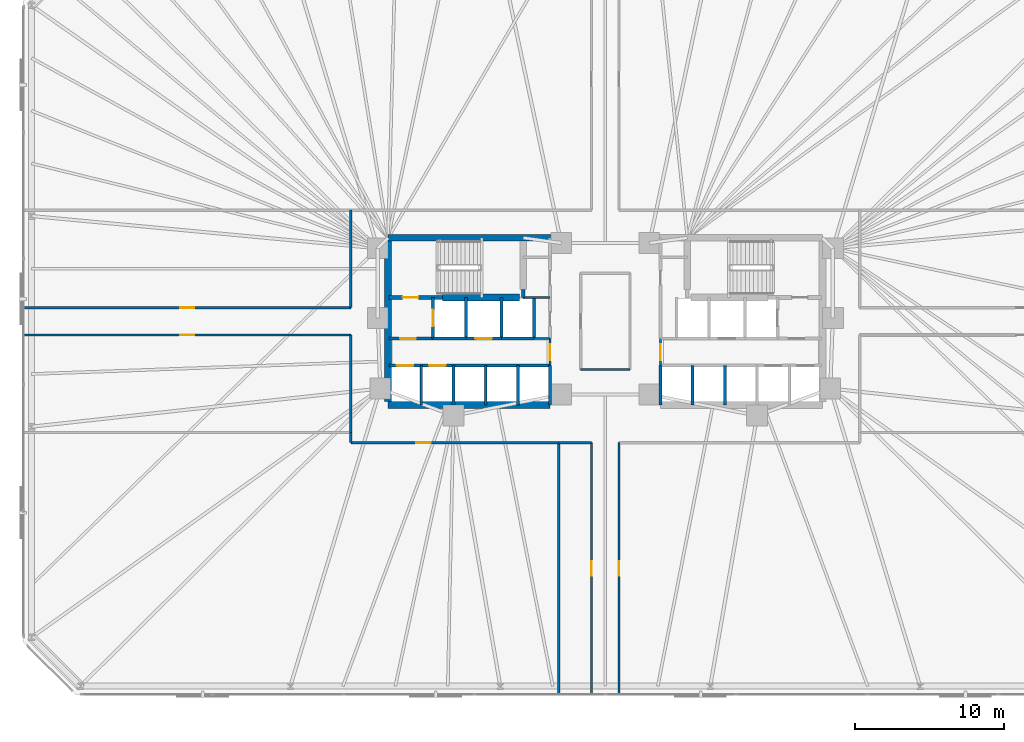
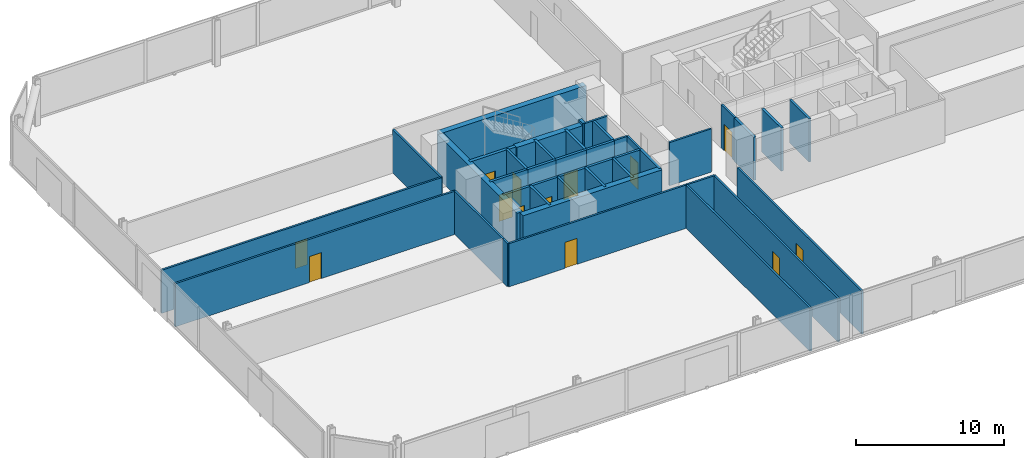
# One storey, part 12 of 16: 38 walls, 13 doors, 13 openings.
"""IFC4 building model written with IfcOpenShell, lengths in metres."""

from ifc_helpers import new_model, si_unit, direction, frame, frame_2d, origin, place, context, subcontext, project, spatial, rectangle, extrude, material, layer, layer_set, type_object, element, fill, save


model = new_model("IFC4")

# Units and contexts
model_context = context("Model", 3, precision=1e-05, world=origin(), true_north=direction((0.0, 1.0)))
body_context = subcontext(model_context, "Body", "Model", "MODEL_VIEW")
ifc_project = project(units=[si_unit("LENGTHUNIT", "METRE"), si_unit("AREAUNIT", "SQUARE_METRE"), si_unit("VOLUMEUNIT", "CUBIC_METRE"), si_unit("PLANEANGLEUNIT", "RADIAN"), si_unit("MASSUNIT", "GRAM", prefix="KILO")], contexts=[model_context])

# Site, building, storey
site_placement = place(None, origin())
site = spatial("IfcSite", under=ifc_project, at=site_placement, CompositionType="ELEMENT")
building_placement = place(site_placement, origin())
building = spatial("IfcBuilding", under=site, at=building_placement, Name="Menara Jurai Vektor", CompositionType="ELEMENT")
storey_placement = place(building_placement, frame((0.0, 0.0, 14.199951171875)))
storey = spatial("IfcBuildingStorey", under=building, at=storey_placement, Name="L02", CompositionType="ELEMENT", Elevation=14.199951171875)

# Wall, opening, door
ifc_material_1 = material(Name="Concrete C40/50", Category="concrete")
ifc_layer_1 = layer(ifc_material_1, 0.25)
ifc_layer_set_1 = layer_set([ifc_layer_1], Name="Concrete C40/50")
wall_type_1 = type_object("IfcWallType", Name="INT-WALL-CORE-250", PredefinedType="STANDARD", material=ifc_layer_set_1)
wall_1_placement = place(storey_placement, frame((-14.5, 1.60009765625, 0.0), z_axis=(0.0, 0.0, 1.0), x_axis=(1.0, 0.0, 0.0)))
wall_1 = element("IfcWall", 1, at=wall_1_placement, inside=storey, type_object=wall_type_1, Name="Interior Wall IW-250 L02", PredefinedType="STANDARD", context=body_context, shape_type="SweptSolid", body=[
    extrude(rectangle(XDim=3.60009765625, YDim=0.25, at=frame_2d((1.800048828125, 0.0))), origin(), (0.0, 0.0, 1.0), 3.574951171875),
])
opening_1_placement = place(wall_1_placement, frame((0.919921875, 0.0, 0.0)))
opening_1 = element("IfcOpeningElement", 2, at=opening_1_placement, cuts=wall_1, Name="Opening D-L02-ST1", PredefinedType="OPENING", context=body_context, shape_type="SweptSolid", body=[
    extrude(rectangle(XDim=1.050048828125, YDim=2.14990234375, at=frame_2d((0.52490234375, 1.074951171875))), frame((0.0, 0.135009765625, 0.0), z_axis=(0.0, -1.0, 0.0), x_axis=(1.0, 0.0, 0.0)), (0.0, 0.0, 1.0), 0.27001953125),
])
ifc_material_2 = material(Name="Fire-Rated Steel Door", Category="steel")
door_type_1 = type_object("IfcDoorType", Name="DR-STAIR-1050", OperationType="NOTDEFINED", PredefinedType="DOOR", material=ifc_material_2)
door_1_placement = place(opening_1_placement, origin())
door_1 = element("IfcDoor", 3, at=door_1_placement, inside=storey, type_object=door_type_1, Name="Exit Stair ST1 Door L02", OperationType="SINGLE_SWING_RIGHT", OverallHeight=2.14990234375, OverallWidth=1.050048828125, PredefinedType="DOOR", context=body_context, shape_type="SweptSolid", body=[
    extrude(rectangle(XDim=1.050048828125, YDim=2.14990234375, at=frame_2d((0.52490234375, 1.074951171875))), frame((0.0, 0.02490234375, 0.0), z_axis=(0.0, -1.0, 0.0), x_axis=(1.0, 0.0, 0.0)), (0.0, 0.0, 1.0), 0.050048828125),
])
fill(opening_1, door_1)

# Wall
wall_2_placement = place(storey_placement, frame((-5.5, 1.60009765625, 0.0), z_axis=(0.0, 0.0, 1.0), x_axis=(0.0, 1.0, 0.0)))
element("IfcWall", 4, at=wall_2_placement, inside=storey, type_object=wall_type_1, Name="Interior Wall IW-250 L02", PredefinedType="STANDARD", context=body_context, shape_type="SweptSolid", body=[
    extrude(rectangle(XDim=0.5498046875, YDim=0.25, at=frame_2d((0.27490234375, 0.0))), origin(), (0.0, 0.0, 1.0), 3.574951171875),
])

# Wall, opening, door
wall_3_placement = place(storey_placement, frame((-11.550048828125, -1.14990234375, 0.0), z_axis=(0.0, 0.0, 1.0), x_axis=(0.0, 1.0, 0.0)))
wall_3 = element("IfcWall", 5, at=wall_3_placement, inside=storey, type_object=wall_type_1, Name="Interior Wall IW-250 L02", PredefinedType="STANDARD", context=body_context, shape_type="SweptSolid", body=[
    extrude(rectangle(XDim=2.75, YDim=0.199951171875, at=frame_2d((1.375, 0.0))), origin(), (0.0, 0.0, 1.0), 3.574951171875),
])
opening_2_placement = place(wall_3_placement, frame((0.824951171875, 0.0, 0.0)))
opening_2 = element("IfcOpeningElement", 6, at=opening_2_placement, cuts=wall_3, Name="Opening LD-L02-FL1", PredefinedType="OPENING", context=body_context, shape_type="SweptSolid", body=[
    extrude(rectangle(XDim=1.10009765625, YDim=2.14990234375, at=frame_2d((0.550048828125, 1.074951171875))), frame((0.0, 0.10986328125, 0.0), z_axis=(0.0, -1.0, 0.0), x_axis=(1.0, 0.0, 0.0)), (0.0, 0.0, 1.0), 0.219970703125),
])
ifc_material_3 = material(Name="Stainless Steel Sliding Lift Landing Door", Category="steel")
door_type_2 = type_object("IfcDoorType", Name="DR-LIFT-FIRE-1100", OperationType="NOTDEFINED", PredefinedType="DOOR", material=ifc_material_3)
door_2_placement = place(opening_2_placement, origin())
door_2 = element("IfcDoor", 7, at=door_2_placement, inside=storey, type_object=door_type_2, Name="Lift Landing Door FL1 L02", OperationType="SLIDING_TO_RIGHT", OverallHeight=2.14990234375, OverallWidth=1.10009765625, PredefinedType="DOOR", context=body_context, shape_type="SweptSolid", body=[
    extrude(rectangle(XDim=1.10009765625, YDim=2.14990234375, at=frame_2d((0.550048828125, 1.074951171875))), frame((0.0, 0.02490234375, 0.0), z_axis=(0.0, -1.0, 0.0), x_axis=(1.0, 0.0, 0.0)), (0.0, 0.0, 1.0), 0.050048828125),
])
fill(opening_2, door_2)

# Wall
wall_4_placement = place(storey_placement, frame((-9.35009765625, -1.14990234375, 0.0), z_axis=(0.0, 0.0, 1.0), x_axis=(0.0, 1.0, 0.0)))
element("IfcWall", 8, at=wall_4_placement, inside=storey, type_object=wall_type_1, Name="Interior Wall IW-250 L02", PredefinedType="STANDARD", context=body_context, shape_type="SweptSolid", body=[
    extrude(rectangle(XDim=2.75, YDim=0.199951171875, at=frame_2d((1.375, 0.0))), origin(), (0.0, 0.0, 1.0), 3.574951171875),
])

# Wall, opening, door
wall_5_placement = place(storey_placement, frame((-14.5, -1.14990234375, 0.0), z_axis=(0.0, 0.0, 1.0), x_axis=(1.0, 0.0, 0.0)))
wall_5 = element("IfcWall", 9, at=wall_5_placement, inside=storey, type_object=wall_type_1, Name="Interior Wall IW-250 L02", PredefinedType="STANDARD", context=body_context, shape_type="SweptSolid", body=[
    extrude(rectangle(XDim=2.949951171875, YDim=0.199951171875, at=frame_2d((1.47509765625, 0.0))), origin(), (0.0, 0.0, 1.0), 3.574951171875),
])
opening_3_placement = place(wall_5_placement, frame((0.75, 0.0, 0.0)))
opening_3 = element("IfcOpeningElement", 10, at=opening_3_placement, cuts=wall_5, Name="Opening D-L02-FFW", PredefinedType="OPENING", context=body_context, shape_type="SweptSolid", body=[
    extrude(rectangle(XDim=1.050048828125, YDim=2.179931640625, at=frame_2d((0.52490234375, 1.08984375))), frame((0.0, 0.10986328125, 0.0), z_axis=(0.0, -1.0, 0.0), x_axis=(1.0, 0.0, 0.0)), (0.0, 0.0, 1.0), 0.219970703125),
])
ifc_material_4 = material(Name="Fire-Rated Timber Door", Category="wood")
door_type_3 = type_object("IfcDoorType", Name="DR-LOBBY-1050", OperationType="NOTDEFINED", PredefinedType="DOOR", material=ifc_material_4)
door_3_placement = place(opening_3_placement, origin())
door_3 = element("IfcDoor", 11, at=door_3_placement, inside=storey, type_object=door_type_3, Name="Fire Lift Lobby Door W L02", OperationType="SINGLE_SWING_RIGHT", OverallHeight=2.179931640625, OverallWidth=1.050048828125, PredefinedType="DOOR", context=body_context, shape_type="SweptSolid", body=[
    extrude(rectangle(XDim=1.050048828125, YDim=2.179931640625, at=frame_2d((0.52490234375, 1.08984375))), frame((0.0, 0.02490234375, 0.0), z_axis=(0.0, -1.0, 0.0), x_axis=(1.0, 0.0, 0.0)), (0.0, 0.0, 1.0), 0.050048828125),
])
fill(opening_3, door_3)

# Wall
wall_6_placement = place(storey_placement, frame((-11.550048828125, -1.14990234375, 0.0), z_axis=(0.0, 0.0, 1.0), x_axis=(1.0, 0.0, 0.0)))
element("IfcWall", 12, at=wall_6_placement, inside=storey, type_object=wall_type_1, Name="Interior Wall IW-250 L02", PredefinedType="STANDARD", context=body_context, shape_type="SweptSolid", body=[
    extrude(rectangle(XDim=2.199951171875, YDim=0.199951171875, at=frame_2d((1.10009765625, 0.0))), origin(), (0.0, 0.0, 1.0), 3.574951171875),
])

# Wall, opening, door
ifc_material_5 = material(Name="Gypsum Fireboard Partition", Category="gypsum")
ifc_layer_2 = layer(ifc_material_5, 0.14990234375)
ifc_layer_set_2 = layer_set([ifc_layer_2], Name="Gypsum Fireboard Partition")
wall_type_2 = type_object("IfcWallType", Name="INT-WALL-CORR-150", PredefinedType="PARTITIONING", material=ifc_layer_set_2)
wall_7_placement = place(storey_placement, frame((-3.699951171875, -2.949951171875, 0.0), z_axis=(0.0, 0.0, 1.0), x_axis=(0.0, 1.0, 0.0)))
wall_7 = element("IfcWall", 13, at=wall_7_placement, inside=storey, type_object=wall_type_2, Name="Interior Wall IW-150 L02", PredefinedType="PARTITIONING", context=body_context, shape_type="SweptSolid", body=[
    extrude(rectangle(XDim=1.800048828125, YDim=0.14990234375, at=frame_2d((0.89990234375, 0.0))), origin(), (0.0, 0.0, 1.0), 3.574951171875),
])
opening_4_placement = place(wall_7_placement, frame((0.35009765625, 0.0, 0.0)))
opening_4 = element("IfcOpeningElement", 14, at=opening_4_placement, cuts=wall_7, Name="Opening D-L02-LLW", PredefinedType="OPENING", context=body_context, shape_type="SweptSolid", body=[
    extrude(rectangle(XDim=1.050048828125, YDim=2.179931640625, at=frame_2d((0.52490234375, 1.08984375))), frame((0.0, 0.0849609375, 0.0), z_axis=(0.0, -1.0, 0.0), x_axis=(1.0, 0.0, 0.0)), (0.0, 0.0, 1.0), 0.169921875),
])
door_4_placement = place(opening_4_placement, origin())
door_4 = element("IfcDoor", 15, at=door_4_placement, inside=storey, type_object=door_type_3, Name="Lift Lobby Corridor Door W L02", OperationType="SINGLE_SWING_LEFT", OverallHeight=2.179931640625, OverallWidth=1.050048828125, PredefinedType="DOOR", context=body_context, shape_type="SweptSolid", body=[
    extrude(rectangle(XDim=1.050048828125, YDim=2.179931640625, at=frame_2d((0.52490234375, 1.08984375))), frame((0.0, 0.02490234375, 0.0), z_axis=(0.0, -1.0, 0.0), x_axis=(1.0, 0.0, 0.0)), (0.0, 0.0, 1.0), 0.050048828125),
])
fill(opening_4, door_4)

# Wall
wall_8_placement = place(storey_placement, frame((-4.7900390625, -1.14990234375, 0.0), z_axis=(0.0, 0.0, 1.0), x_axis=(1.0, 0.0, 0.0)))
element("IfcWall", 16, at=wall_8_placement, inside=storey, type_object=wall_type_2, Name="Interior Wall IW-150 L02", PredefinedType="PARTITIONING", context=body_context, shape_type="SweptSolid", body=[
    extrude(rectangle(XDim=1.090087890625, YDim=0.14990234375, at=frame_2d((0.544921875, 0.0))), origin(), (0.0, 0.0, 1.0), 3.574951171875),
])

# Wall, opening, door
wall_9_placement = place(storey_placement, frame((3.699951171875, -2.949951171875, 0.0), z_axis=(0.0, 0.0, 1.0), x_axis=(0.0, 1.0, 0.0)))
wall_9 = element("IfcWall", 17, at=wall_9_placement, inside=storey, type_object=wall_type_2, Name="Interior Wall IW-150 L02", PredefinedType="PARTITIONING", context=body_context, shape_type="SweptSolid", body=[
    extrude(rectangle(XDim=1.800048828125, YDim=0.14990234375, at=frame_2d((0.89990234375, 0.0))), origin(), (0.0, 0.0, 1.0), 3.574951171875),
])
opening_5_placement = place(wall_9_placement, frame((0.35009765625, 0.0, 0.0)))
opening_5 = element("IfcOpeningElement", 18, at=opening_5_placement, cuts=wall_9, Name="Opening D-L02-LLE", PredefinedType="OPENING", context=body_context, shape_type="SweptSolid", body=[
    extrude(rectangle(XDim=1.050048828125, YDim=2.179931640625, at=frame_2d((0.52490234375, 1.08984375))), frame((0.0, 0.0849609375, 0.0), z_axis=(0.0, -1.0, 0.0), x_axis=(1.0, 0.0, 0.0)), (0.0, 0.0, 1.0), 0.169921875),
])
door_5_placement = place(opening_5_placement, frame((1.050048828125, 0.0, 0.0), z_axis=(0.0, 0.0, 1.0), x_axis=(-1.0, 0.0, 0.0)))
door_5 = element("IfcDoor", 19, at=door_5_placement, inside=storey, type_object=door_type_3, Name="Lift Lobby Corridor Door E L02", OperationType="SINGLE_SWING_RIGHT", OverallHeight=2.179931640625, OverallWidth=1.050048828125, PredefinedType="DOOR", context=body_context, shape_type="SweptSolid", body=[
    extrude(rectangle(XDim=1.050048828125, YDim=2.179931640625, at=frame_2d((0.52490234375, 1.08984375))), frame((0.0, 0.02490234375, 0.0), z_axis=(0.0, -1.0, 0.0), x_axis=(1.0, 0.0, 0.0)), (0.0, 0.0, 1.0), 0.050048828125),
])
fill(opening_5, door_5)

# Walls
wall_10_placement = place(storey_placement, frame((-5.5, 1.60009765625, 0.0), z_axis=(0.0, 0.0, 1.0), x_axis=(1.0, 0.0, 0.0)))
element("IfcWall", 20, at=wall_10_placement, inside=storey, type_object=wall_type_2, Name="Interior Wall IW-150 L02", PredefinedType="PARTITIONING", context=body_context, shape_type="SweptSolid", body=[
    extrude(rectangle(XDim=1.800048828125, YDim=0.14990234375, at=frame_2d((0.89990234375, 0.0))), origin(), (0.0, 0.0, 1.0), 3.574951171875),
])
wall_11_placement = place(storey_placement, frame((-1.64990234375, -3.22998046875, 0.0), z_axis=(0.0, 0.0, 1.0), x_axis=(1.0, 0.0, 0.0)))
element("IfcWall", 21, at=wall_11_placement, inside=storey, type_object=wall_type_2, Name="Interior Wall IW-150 L02", PredefinedType="PARTITIONING", context=body_context, shape_type="SweptSolid", body=[
    extrude(rectangle(XDim=3.2998046875, YDim=0.14990234375, at=frame_2d((1.64990234375, 0.0))), origin(), (0.0, 0.0, 1.0), 3.574951171875),
])
wall_12_placement = place(storey_placement, frame((-17.05908203125, -8.1298828125, 0.0), z_axis=(0.0, 0.0, 1.0), x_axis=(0.0, 1.0, 0.0)))
element("IfcWall", 22, at=wall_12_placement, inside=storey, type_object=wall_type_2, Name="Interior Wall IW-150 L02", PredefinedType="PARTITIONING", context=body_context, shape_type="SweptSolid", body=[
    extrude(rectangle(XDim=0.679931640625, YDim=0.14990234375, at=frame_2d((0.33984375, 0.0))), origin(), (0.0, 0.0, 1.0), 3.574951171875),
])

# Wall, opening, door
wall_13_placement = place(storey_placement, frame((-17.05908203125, -8.1298828125, 0.0), z_axis=(0.0, 0.0, 1.0), x_axis=(1.0, 0.0, 0.0)))
wall_13 = element("IfcWall", 23, at=wall_13_placement, inside=storey, type_object=wall_type_2, Name="Interior Wall IW-150 L02", PredefinedType="PARTITIONING", context=body_context, shape_type="SweptSolid", body=[
    extrude(rectangle(XDim=13.93896484375, YDim=0.14990234375, at=frame_2d((6.969482421875, 0.0))), origin(), (0.0, 0.0, 1.0), 3.574951171875),
])
opening_6_placement = place(wall_13_placement, frame((4.403564453125, 0.0, 0.0)))
opening_6 = element("IfcOpeningElement", 24, at=opening_6_placement, cuts=wall_13, Name="Opening D02-07", PredefinedType="OPENING", context=body_context, shape_type="SweptSolid", body=[
    extrude(rectangle(XDim=0.949951171875, YDim=2.14990234375, at=frame_2d((0.47509765625, 1.074951171875))), frame((0.0, 0.0849609375, 0.0), z_axis=(0.0, -1.0, 0.0), x_axis=(1.0, 0.0, 0.0)), (0.0, 0.0, 1.0), 0.169921875),
])
ifc_material_6 = material(Name="Solid Core Timber Fire Door", Category="wood")
door_type_4 = type_object("IfcDoorType", Name="DR-ENTRY-950", OperationType="NOTDEFINED", PredefinedType="DOOR", material=ifc_material_6)
door_6_placement = place(opening_6_placement, origin())
door_6 = element("IfcDoor", 25, at=door_6_placement, inside=storey, type_object=door_type_4, Name="Interior Door D02-07", OperationType="SINGLE_SWING_RIGHT", OverallHeight=2.14990234375, OverallWidth=0.949951171875, PredefinedType="DOOR", context=body_context, shape_type="SweptSolid", body=[
    extrude(rectangle(XDim=0.949951171875, YDim=2.14990234375, at=frame_2d((0.47509765625, 1.074951171875))), frame((0.0, 0.02490234375, 0.0), z_axis=(0.0, -1.0, 0.0), x_axis=(1.0, 0.0, 0.0)), (0.0, 0.0, 1.0), 0.050048828125),
])
fill(opening_6, door_6)

# Wall
wall_14_placement = place(storey_placement, frame((-3.1201171875, -8.1298828125, 0.0), z_axis=(0.0, 0.0, 1.0), x_axis=(1.0, 0.0, 0.0)))
element("IfcWall", 26, at=wall_14_placement, inside=storey, type_object=wall_type_2, Name="Interior Wall IW-150 L02", PredefinedType="PARTITIONING", context=body_context, shape_type="SweptSolid", body=[
    extrude(rectangle(XDim=2.2001953125, YDim=0.14990234375, at=frame_2d((1.10009765625, 0.0))), origin(), (0.0, 0.0, 1.0), 3.574951171875),
])

# Wall, opening, door
wall_15_placement = place(storey_placement, frame((-0.919921875, -25.0, 0.0), z_axis=(0.0, 0.0, 1.0), x_axis=(0.0, 1.0, 0.0)))
wall_15 = element("IfcWall", 27, at=wall_15_placement, inside=storey, type_object=wall_type_2, Name="Interior Wall IW-150 L02", PredefinedType="PARTITIONING", context=body_context, shape_type="SweptSolid", body=[
    extrude(rectangle(XDim=16.8701171875, YDim=0.14990234375, at=frame_2d((8.43505859375, 0.0))), origin(), (0.0, 0.0, 1.0), 3.574951171875),
])
opening_7_placement = place(wall_15_placement, frame((7.9599609375, 0.0, 0.0)))
opening_7 = element("IfcOpeningElement", 28, at=opening_7_placement, cuts=wall_15, Name="Opening D02-08", PredefinedType="OPENING", context=body_context, shape_type="SweptSolid", body=[
    extrude(rectangle(XDim=0.949951171875, YDim=2.14990234375, at=frame_2d((0.47509765625, 1.074951171875))), frame((0.0, 0.0849609375, 0.0), z_axis=(0.0, -1.0, 0.0), x_axis=(1.0, 0.0, 0.0)), (0.0, 0.0, 1.0), 0.169921875),
])
door_7_placement = place(opening_7_placement, origin())
door_7 = element("IfcDoor", 29, at=door_7_placement, inside=storey, type_object=door_type_4, Name="Interior Door D02-08", OperationType="SINGLE_SWING_LEFT", OverallHeight=2.14990234375, OverallWidth=0.949951171875, PredefinedType="DOOR", context=body_context, shape_type="SweptSolid", body=[
    extrude(rectangle(XDim=0.949951171875, YDim=2.14990234375, at=frame_2d((0.47509765625, 1.074951171875))), frame((0.0, 0.02490234375, 0.0), z_axis=(0.0, -1.0, 0.0), x_axis=(1.0, 0.0, 0.0)), (0.0, 0.0, 1.0), 0.050048828125),
])
fill(opening_7, door_7)

wall_16_placement = place(storey_placement, frame((0.919921875, -25.0, 0.0), z_axis=(0.0, 0.0, 1.0), x_axis=(0.0, 1.0, 0.0)))
wall_16 = element("IfcWall", 30, at=wall_16_placement, inside=storey, type_object=wall_type_2, Name="Interior Wall IW-150 L02", PredefinedType="PARTITIONING", context=body_context, shape_type="SweptSolid", body=[
    extrude(rectangle(XDim=16.8701171875, YDim=0.14990234375, at=frame_2d((8.43505859375, 0.0))), origin(), (0.0, 0.0, 1.0), 3.574951171875),
])
opening_8_placement = place(wall_16_placement, frame((7.9599609375, 0.0, 0.0)))
opening_8 = element("IfcOpeningElement", 31, at=opening_8_placement, cuts=wall_16, Name="Opening D02-09", PredefinedType="OPENING", context=body_context, shape_type="SweptSolid", body=[
    extrude(rectangle(XDim=0.949951171875, YDim=2.14990234375, at=frame_2d((0.47509765625, 1.074951171875))), frame((0.0, 0.0849609375, 0.0), z_axis=(0.0, -1.0, 0.0), x_axis=(1.0, 0.0, 0.0)), (0.0, 0.0, 1.0), 0.169921875),
])
door_8_placement = place(opening_8_placement, origin())
door_8 = element("IfcDoor", 32, at=door_8_placement, inside=storey, type_object=door_type_4, Name="Interior Door D02-09", OperationType="SINGLE_SWING_RIGHT", OverallHeight=2.14990234375, OverallWidth=0.949951171875, PredefinedType="DOOR", context=body_context, shape_type="SweptSolid", body=[
    extrude(rectangle(XDim=0.949951171875, YDim=2.14990234375, at=frame_2d((0.47509765625, 1.074951171875))), frame((0.0, 0.02490234375, 0.0), z_axis=(0.0, -1.0, 0.0), x_axis=(1.0, 0.0, 0.0)), (0.0, 0.0, 1.0), 0.050048828125),
])
fill(opening_8, door_8)

wall_17_placement = place(storey_placement, frame((-39.0, -0.919921875, 0.0), z_axis=(0.0, 0.0, 1.0), x_axis=(1.0, 0.0, 0.0)))
wall_17 = element("IfcWall", 33, at=wall_17_placement, inside=storey, type_object=wall_type_2, Name="Interior Wall IW-150 L02", PredefinedType="PARTITIONING", context=body_context, shape_type="SweptSolid", body=[
    extrude(rectangle(XDim=21.94091796875, YDim=0.14990234375, at=frame_2d((10.970458984375, 0.0))), origin(), (0.0, 0.0, 1.0), 3.574951171875),
])
opening_9_placement = place(wall_17_placement, frame((10.49560546875, 0.0, 0.0)))
opening_9 = element("IfcOpeningElement", 34, at=opening_9_placement, cuts=wall_17, Name="Opening D02-10", PredefinedType="OPENING", context=body_context, shape_type="SweptSolid", body=[
    extrude(rectangle(XDim=0.949951171875, YDim=2.14990234375, at=frame_2d((0.47509765625, 1.074951171875))), frame((0.0, 0.0849609375, 0.0), z_axis=(0.0, -1.0, 0.0), x_axis=(1.0, 0.0, 0.0)), (0.0, 0.0, 1.0), 0.169921875),
])
door_9_placement = place(opening_9_placement, origin())
door_9 = element("IfcDoor", 35, at=door_9_placement, inside=storey, type_object=door_type_4, Name="Interior Door D02-10", OperationType="SINGLE_SWING_LEFT", OverallHeight=2.14990234375, OverallWidth=0.949951171875, PredefinedType="DOOR", context=body_context, shape_type="SweptSolid", body=[
    extrude(rectangle(XDim=0.949951171875, YDim=2.14990234375, at=frame_2d((0.47509765625, 1.074951171875))), frame((0.0, 0.02490234375, 0.0), z_axis=(0.0, -1.0, 0.0), x_axis=(1.0, 0.0, 0.0)), (0.0, 0.0, 1.0), 0.050048828125),
])
fill(opening_9, door_9)

# Wall
wall_18_placement = place(storey_placement, frame((-17.05908203125, -7.449951171875, 0.0), z_axis=(0.0, 0.0, 1.0), x_axis=(0.0, 1.0, 0.0)))
element("IfcWall", 36, at=wall_18_placement, inside=storey, type_object=wall_type_2, Name="Interior Wall IW-150 L02", PredefinedType="PARTITIONING", context=body_context, shape_type="SweptSolid", body=[
    extrude(rectangle(XDim=6.530029296875, YDim=0.14990234375, at=frame_2d((3.26513671875, 0.0))), origin(), (0.0, 0.0, 1.0), 3.574951171875),
])

# Wall, opening, door
wall_19_placement = place(storey_placement, frame((-39.0, 0.919921875, 0.0), z_axis=(0.0, 0.0, 1.0), x_axis=(1.0, 0.0, 0.0)))
wall_19 = element("IfcWall", 37, at=wall_19_placement, inside=storey, type_object=wall_type_2, Name="Interior Wall IW-150 L02", PredefinedType="PARTITIONING", context=body_context, shape_type="SweptSolid", body=[
    extrude(rectangle(XDim=21.94091796875, YDim=0.14990234375, at=frame_2d((10.970458984375, 0.0))), origin(), (0.0, 0.0, 1.0), 3.574951171875),
])
opening_10_placement = place(wall_19_placement, frame((10.49560546875, 0.0, 0.0)))
opening_10 = element("IfcOpeningElement", 38, at=opening_10_placement, cuts=wall_19, Name="Opening D02-11", PredefinedType="OPENING", context=body_context, shape_type="SweptSolid", body=[
    extrude(rectangle(XDim=0.949951171875, YDim=2.14990234375, at=frame_2d((0.47509765625, 1.074951171875))), frame((0.0, 0.0849609375, 0.0), z_axis=(0.0, -1.0, 0.0), x_axis=(1.0, 0.0, 0.0)), (0.0, 0.0, 1.0), 0.169921875),
])
door_10_placement = place(opening_10_placement, origin())
door_10 = element("IfcDoor", 39, at=door_10_placement, inside=storey, type_object=door_type_4, Name="Interior Door D02-11", OperationType="SINGLE_SWING_RIGHT", OverallHeight=2.14990234375, OverallWidth=0.949951171875, PredefinedType="DOOR", context=body_context, shape_type="SweptSolid", body=[
    extrude(rectangle(XDim=0.949951171875, YDim=2.14990234375, at=frame_2d((0.47509765625, 1.074951171875))), frame((0.0, 0.02490234375, 0.0), z_axis=(0.0, -1.0, 0.0), x_axis=(1.0, 0.0, 0.0)), (0.0, 0.0, 1.0), 0.050048828125),
])
fill(opening_10, door_10)

# Walls
wall_20_placement = place(storey_placement, frame((-17.05908203125, 0.919921875, 0.0), z_axis=(0.0, 0.0, 1.0), x_axis=(0.0, 1.0, 0.0)))
element("IfcWall", 40, at=wall_20_placement, inside=storey, type_object=wall_type_2, Name="Interior Wall IW-150 L02", PredefinedType="PARTITIONING", context=body_context, shape_type="SweptSolid", body=[
    extrude(rectangle(XDim=6.530029296875, YDim=0.14990234375, at=frame_2d((3.26513671875, 0.0))), origin(), (0.0, 0.0, 1.0), 3.574951171875),
])
wall_21_placement = place(storey_placement, frame((-3.1201171875, -25.0, 0.0), z_axis=(0.0, 0.0, 1.0), x_axis=(0.0, 1.0, 0.0)))
element("IfcWall", 41, at=wall_21_placement, inside=storey, type_object=wall_type_2, Name="Interior Wall IW-150 L02", PredefinedType="PARTITIONING", context=body_context, shape_type="SweptSolid", body=[
    extrude(rectangle(XDim=16.8701171875, YDim=0.14990234375, at=frame_2d((8.43505859375, 0.0))), origin(), (0.0, 0.0, 1.0), 3.574951171875),
])
ifc_layer_3 = layer(ifc_material_1, 0.199951171875)
ifc_layer_set_3 = layer_set([ifc_layer_3], Name="Concrete C40/50")
wall_type_3 = type_object("IfcWallType", Name="INT-WALL-SHAFT-200", PredefinedType="STANDARD", material=ifc_layer_set_3)
wall_22_placement = place(storey_placement, frame((-3.699951171875, -5.60009765625, 0.0), z_axis=(0.0, 0.0, 1.0), x_axis=(0.0, 1.0, 0.0)))
element("IfcWall", 42, at=wall_22_placement, inside=storey, type_object=wall_type_3, Name="Interior Wall IW-200 L02", PredefinedType="STANDARD", context=body_context, shape_type="SweptSolid", body=[
    extrude(rectangle(XDim=2.650146484375, YDim=0.199951171875, at=frame_2d((1.3251953125, 0.0))), origin(), (0.0, 0.0, 1.0), 3.574951171875),
])
wall_23_placement = place(storey_placement, frame((-6.949951171875, -1.14990234375, 0.0), z_axis=(0.0, 0.0, 1.0), x_axis=(0.0, 1.0, 0.0)))
element("IfcWall", 43, at=wall_23_placement, inside=storey, type_object=wall_type_3, Name="Interior Wall IW-200 L02", PredefinedType="STANDARD", context=body_context, shape_type="SweptSolid", body=[
    extrude(rectangle(XDim=2.75, YDim=0.199951171875, at=frame_2d((1.375, 0.0))), origin(), (0.0, 0.0, 1.0), 3.574951171875),
])

# Wall, opening, door
wall_24_placement = place(storey_placement, frame((-9.35009765625, -1.14990234375, 0.0), z_axis=(0.0, 0.0, 1.0), x_axis=(1.0, 0.0, 0.0)))
wall_24 = element("IfcWall", 44, at=wall_24_placement, inside=storey, type_object=wall_type_3, Name="Interior Wall IW-200 L02", PredefinedType="STANDARD", context=body_context, shape_type="SweptSolid", body=[
    extrude(rectangle(XDim=2.400146484375, YDim=0.199951171875, at=frame_2d((1.2001953125, 0.0))), origin(), (0.0, 0.0, 1.0), 3.574951171875),
])
opening_11_placement = place(wall_24_placement, frame((0.64990234375, 0.0, 0.0)))
opening_11 = element("IfcOpeningElement", 45, at=opening_11_placement, cuts=wall_24, Name="Opening LD-L02-SVL1", PredefinedType="OPENING", context=body_context, shape_type="SweptSolid", body=[
    extrude(rectangle(XDim=1.10009765625, YDim=2.14990234375, at=frame_2d((0.550048828125, 1.074951171875))), frame((0.0, 0.10986328125, 0.0), z_axis=(0.0, -1.0, 0.0), x_axis=(1.0, 0.0, 0.0)), (0.0, 0.0, 1.0), 0.219970703125),
])
ifc_material_7 = material(Name="Anodised Stainless Sliding Lift Landing Door", Category="steel")
door_type_5 = type_object("IfcDoorType", Name="DR-LIFT-PASS-1100", OperationType="NOTDEFINED", PredefinedType="DOOR", material=ifc_material_7)
door_11_placement = place(opening_11_placement, origin())
door_11 = element("IfcDoor", 46, at=door_11_placement, inside=storey, type_object=door_type_5, Name="Lift Landing Door SVL1 L02", OperationType="SLIDING_TO_RIGHT", OverallHeight=2.14990234375, OverallWidth=1.10009765625, PredefinedType="DOOR", context=body_context, shape_type="SweptSolid", body=[
    extrude(rectangle(XDim=1.10009765625, YDim=2.14990234375, at=frame_2d((0.550048828125, 1.074951171875))), frame((0.0, 0.02490234375, 0.0), z_axis=(0.0, -1.0, 0.0), x_axis=(1.0, 0.0, 0.0)), (0.0, 0.0, 1.0), 0.050048828125),
])
fill(opening_11, door_11)

# Walls
wall_25_placement = place(storey_placement, frame((-4.7900390625, -1.14990234375, 0.0), z_axis=(0.0, 0.0, 1.0), x_axis=(0.0, 1.0, 0.0)))
element("IfcWall", 47, at=wall_25_placement, inside=storey, type_object=wall_type_3, Name="Interior Wall IW-200 L02", PredefinedType="STANDARD", context=body_context, shape_type="SweptSolid", body=[
    extrude(rectangle(XDim=2.75, YDim=0.199951171875, at=frame_2d((1.375, 0.0))), origin(), (0.0, 0.0, 1.0), 3.574951171875),
])
wall_26_placement = place(storey_placement, frame((-6.949951171875, -1.14990234375, 0.0), z_axis=(0.0, 0.0, 1.0), x_axis=(1.0, 0.0, 0.0)))
element("IfcWall", 48, at=wall_26_placement, inside=storey, type_object=wall_type_3, Name="Interior Wall IW-200 L02", PredefinedType="STANDARD", context=body_context, shape_type="SweptSolid", body=[
    extrude(rectangle(XDim=2.159912109375, YDim=0.199951171875, at=frame_2d((1.080078125, 0.0))), origin(), (0.0, 0.0, 1.0), 3.574951171875),
])

# Wall, openings, doors
wall_27_placement = place(storey_placement, frame((-14.5, -2.949951171875, 0.0), z_axis=(0.0, 0.0, 1.0), x_axis=(1.0, 0.0, 0.0)))
wall_27 = element("IfcWall", 49, at=wall_27_placement, inside=storey, type_object=wall_type_3, Name="Interior Wall IW-200 L02", PredefinedType="STANDARD", context=body_context, shape_type="SweptSolid", body=[
    extrude(rectangle(XDim=10.800048828125, YDim=0.199951171875, at=frame_2d((5.39990234375, 0.0))), origin(), (0.0, 0.0, 1.0), 3.574951171875),
])
opening_12_placement = place(wall_27_placement, frame((0.530029296875, 0.0, 0.0)))
opening_12 = element("IfcOpeningElement", 50, at=opening_12_placement, cuts=wall_27, Name="Opening LD-L02-PL1", PredefinedType="OPENING", context=body_context, shape_type="SweptSolid", body=[
    extrude(rectangle(XDim=1.10009765625, YDim=2.14990234375, at=frame_2d((0.550048828125, 1.074951171875))), frame((0.0, 0.10986328125, 0.0), z_axis=(0.0, -1.0, 0.0), x_axis=(1.0, 0.0, 0.0)), (0.0, 0.0, 1.0), 0.219970703125),
])
opening_13_placement = place(wall_27_placement, frame((2.68994140625, 0.0, 0.0)))
opening_13 = element("IfcOpeningElement", 51, at=opening_13_placement, cuts=wall_27, Name="Opening LD-L02-PL2", PredefinedType="OPENING", context=body_context, shape_type="SweptSolid", body=[
    extrude(rectangle(XDim=1.10009765625, YDim=2.14990234375, at=frame_2d((0.550048828125, 1.074951171875))), frame((0.0, 0.10986328125, 0.0), z_axis=(0.0, -1.0, 0.0), x_axis=(1.0, 0.0, 0.0)), (0.0, 0.0, 1.0), 0.219970703125),
])
door_12_placement = place(opening_12_placement, origin())
door_12 = element("IfcDoor", 52, at=door_12_placement, inside=storey, type_object=door_type_5, Name="Lift Landing Door PL1 L02", OperationType="SLIDING_TO_RIGHT", OverallHeight=2.14990234375, OverallWidth=1.10009765625, PredefinedType="DOOR", context=body_context, shape_type="SweptSolid", body=[
    extrude(rectangle(XDim=1.10009765625, YDim=2.14990234375, at=frame_2d((0.550048828125, 1.074951171875))), frame((0.0, 0.02490234375, 0.0), z_axis=(0.0, -1.0, 0.0), x_axis=(1.0, 0.0, 0.0)), (0.0, 0.0, 1.0), 0.050048828125),
])
fill(opening_12, door_12)
door_13_placement = place(opening_13_placement, origin())
door_13 = element("IfcDoor", 53, at=door_13_placement, inside=storey, type_object=door_type_5, Name="Lift Landing Door PL2 L02", OperationType="SLIDING_TO_RIGHT", OverallHeight=2.14990234375, OverallWidth=1.10009765625, PredefinedType="DOOR", context=body_context, shape_type="SweptSolid", body=[
    extrude(rectangle(XDim=1.10009765625, YDim=2.14990234375, at=frame_2d((0.550048828125, 1.074951171875))), frame((0.0, 0.02490234375, 0.0), z_axis=(0.0, -1.0, 0.0), x_axis=(1.0, 0.0, 0.0)), (0.0, 0.0, 1.0), 0.050048828125),
])
fill(opening_13, door_13)

# Walls
wall_28_placement = place(storey_placement, frame((-5.860107421875, -5.60009765625, 0.0), z_axis=(0.0, 0.0, 1.0), x_axis=(0.0, 1.0, 0.0)))
element("IfcWall", 54, at=wall_28_placement, inside=storey, type_object=wall_type_3, Name="Interior Wall IW-200 L02", PredefinedType="STANDARD", context=body_context, shape_type="SweptSolid", body=[
    extrude(rectangle(XDim=2.650146484375, YDim=0.199951171875, at=frame_2d((1.3251953125, 0.0))), origin(), (0.0, 0.0, 1.0), 3.574951171875),
])
for number, where, z_axis, x_axis, name in (
    (55, (-12.340087890625, -5.60009765625, 0.0), (0.0, 0.0, 1.0), (0.0, 1.0, 0.0), "Interior Wall IW-200 L02"),
    (56, (-10.179931640625, -5.60009765625, 0.0), (0.0, 0.0, 1.0), (0.0, 1.0, 0.0), "Interior Wall IW-200 L02"),
    (57, (-8.02001953125, -5.60009765625, 0.0), (0.0, 0.0, 1.0), (0.0, 1.0, 0.0), "Interior Wall IW-200 L02"),
):
    element("IfcWall", number, at=place(storey_placement, frame(where, z_axis=z_axis, x_axis=x_axis)), inside=storey, type_object=wall_type_3, Name=name, PredefinedType="STANDARD", context=body_context, shape_type="SweptSolid", body=[
        extrude(rectangle(XDim=2.650146484375, YDim=0.179931640625, at=frame_2d((1.3251953125, 0.0))), origin(), (0.0, 0.0, 1.0), 3.574951171875),
    ])
for number, where, z_axis, x_axis, name in (
    (58, (3.699951171875, -5.60009765625, 0.0), (0.0, 0.0, 1.0), (0.0, 1.0, 0.0), "Interior Wall IW-200 L02"),
    (59, (5.860107421875, -5.60009765625, 0.0), (0.0, 0.0, 1.0), (0.0, 1.0, 0.0), "Interior Wall IW-200 L02"),
):
    element("IfcWall", number, at=place(storey_placement, frame(where, z_axis=z_axis, x_axis=x_axis)), inside=storey, type_object=wall_type_3, Name=name, PredefinedType="STANDARD", context=body_context, shape_type="SweptSolid", body=[
        extrude(rectangle(XDim=2.650146484375, YDim=0.199951171875, at=frame_2d((1.3251953125, 0.0))), origin(), (0.0, 0.0, 1.0), 3.574951171875),
    ])
wall_29_placement = place(storey_placement, frame((8.02001953125, -5.60009765625, 0.0), z_axis=(0.0, 0.0, 1.0), x_axis=(0.0, 1.0, 0.0)))
element("IfcWall", 60, at=wall_29_placement, inside=storey, type_object=wall_type_3, Name="Interior Wall IW-200 L02", PredefinedType="STANDARD", context=body_context, shape_type="SweptSolid", body=[
    extrude(rectangle(XDim=2.650146484375, YDim=0.179931640625, at=frame_2d((1.3251953125, 0.0))), origin(), (0.0, 0.0, 1.0), 3.574951171875),
])
ifc_material_8 = material(Name="Concrete C60/75", Category="concrete")
ifc_layer_4 = layer(ifc_material_8, 0.449951171875)
ifc_layer_set_4 = layer_set([ifc_layer_4], Name="Concrete C60/75")
wall_type_4 = type_object("IfcWallType", Name="STR-WALL-CORE450", PredefinedType="SHEAR", material=ifc_layer_set_4)
wall_30_placement = place(storey_placement, frame((-14.56005859375, 5.60009765625, 0.0), z_axis=(0.0, 0.0, 1.0), x_axis=(1.0, 0.0, 0.0)))
element("IfcWall", 61, at=wall_30_placement, inside=storey, type_object=wall_type_4, Name="Core Shear Wall CW-W-N L02", PredefinedType="SHEAR", context=body_context, shape_type="SweptSolid", body=[
    extrude(rectangle(XDim=11.41015625, YDim=0.449951171875, at=frame_2d((5.705078125, 0.0))), origin(), (0.0, 0.0, 1.0), 3.574951171875),
])
wall_31_placement = place(storey_placement, frame((-14.56005859375, -5.60009765625, 0.0), z_axis=(0.0, 0.0, 1.0), x_axis=(1.0, 0.0, 0.0)))
element("IfcWall", 62, at=wall_31_placement, inside=storey, type_object=wall_type_4, Name="Core Shear Wall CW-W-S L02", PredefinedType="SHEAR", context=body_context, shape_type="SweptSolid", body=[
    extrude(rectangle(XDim=10.860107421875, YDim=0.449951171875, at=frame_2d((5.43017578125, 0.0))), origin(), (0.0, 0.0, 1.0), 3.574951171875),
])
wall_32_placement = place(storey_placement, frame((-14.56005859375, -5.375, 0.0), z_axis=(0.0, 0.0, 1.0), x_axis=(0.0, 1.0, 0.0)))
element("IfcWall", 63, at=wall_32_placement, inside=storey, type_object=wall_type_4, Name="Core Shear Wall CW-W-W L02", PredefinedType="SHEAR", context=body_context, shape_type="SweptSolid", body=[
    extrude(rectangle(XDim=10.75, YDim=0.449951171875, at=frame_2d((5.375, 0.0))), origin(), (0.0, 0.0, 1.0), 3.574951171875),
])
wall_33_placement = place(storey_placement, frame((-10.89990234375, 1.60009765625, 0.0), z_axis=(0.0, 0.0, 1.0), x_axis=(1.0, 0.0, 0.0)))
element("IfcWall", 64, at=wall_33_placement, inside=storey, type_object=wall_type_4, Name="Core Shear Wall CW-W-STS L02", PredefinedType="SHEAR", context=body_context, shape_type="SweptSolid", body=[
    extrude(rectangle(XDim=5.14990234375, YDim=0.449951171875, at=frame_2d((2.574951171875, 0.0))), origin(), (0.0, 0.0, 1.0), 3.574951171875),
])

save(model, "model.ifc")
